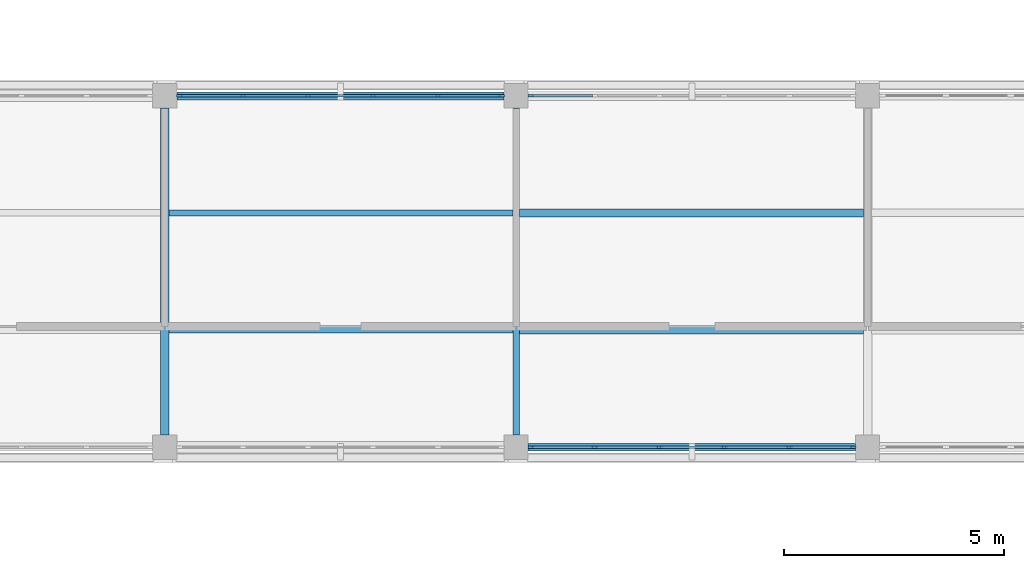
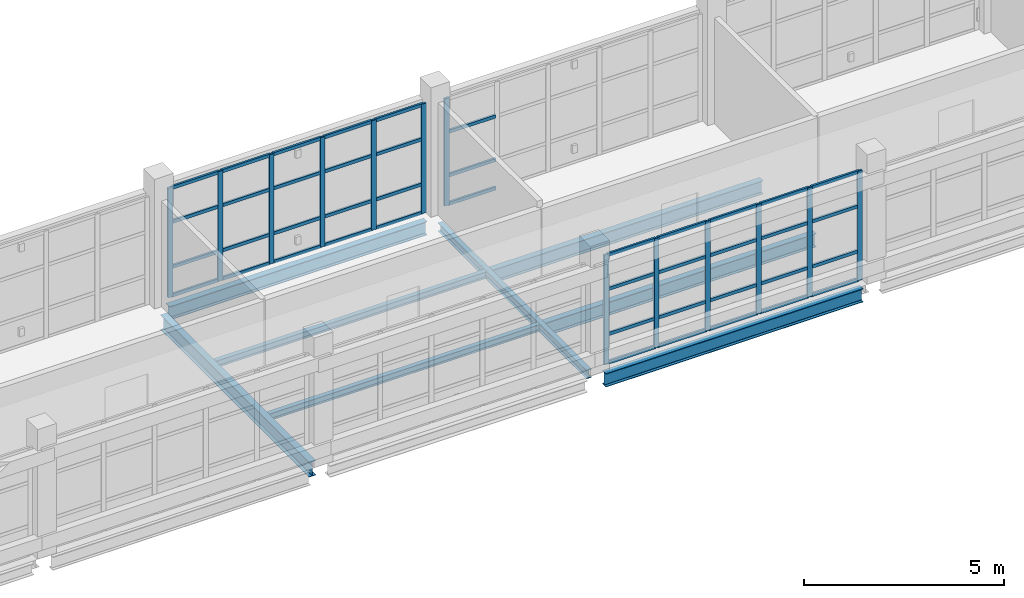
# One storey, part 11 of 92: 56 members, 8 beams, 3 elements without a shape of their own.
"""IFC4 building model written with IfcOpenShell, lengths in metres."""

from ifc_helpers import new_model, si_unit, derived_unit, direction, frame, origin, origin_2d, place, context, subcontext, project, spatial, rectangle, i_section, extrude, material, layer, layer_set, material_profile, profile_set, type_object, element, aggregate, save


model = new_model("IFC4")

# Units and contexts
model_context = context("Model", 3, precision=1e-05, world=origin(), true_north=direction((0.0, 1.0)))
body_context = subcontext(model_context, "Body", "Model", "MODEL_VIEW")
ifc_project = project(units=[si_unit("LENGTHUNIT", "METRE"), si_unit("AREAUNIT", "SQUARE_METRE"), si_unit("VOLUMEUNIT", "CUBIC_METRE"), si_unit("PLANEANGLEUNIT", "RADIAN"), si_unit("MASSUNIT", "GRAM", prefix="KILO"), derived_unit("THERMALTRANSMITTANCEUNIT", [(si_unit("MASSUNIT", "GRAM", prefix="KILO"), 1), (si_unit("TIMEUNIT", "SECOND"), -3), (si_unit("THERMODYNAMICTEMPERATUREUNIT", "KELVIN"), -1)])], contexts=[model_context])

# Site, building, storey
site_placement = place(None, origin())
site = spatial("IfcSite", under=ifc_project, at=site_placement, CompositionType="ELEMENT")
building_placement = place(site_placement, origin())
building = spatial("IfcBuilding", under=site, at=building_placement, Name="Veyamyaing Civic Hall", CompositionType="ELEMENT")
storey_placement = place(building_placement, frame((0.0, 0.0, 17.820068359375)))
storey = spatial("IfcBuildingStorey", under=building, at=storey_placement, Name="L04", CompositionType="ELEMENT", Elevation=17.820068359375)

# Beams
ifc_material_1 = material(Name="Steel ASTM A992", Category="steel")
ifc_material_profile_1 = material_profile(ifc_material_1, i_section(OverallWidth=0.18994140625, OverallDepth=0.45703125, WebThickness=0.009033203125, FlangeThickness=0.014404296875, FilletRadius=0.010009765625, at=origin_2d()), Name="W460X74")
ifc_profile_set_1 = profile_set([ifc_material_profile_1], Name="Steel ASTM A992")
beam_type_1 = type_object("IfcBeamType", Name="B-09", PredefinedType="BEAM", material=ifc_profile_set_1)
beam_1_placement = place(storey_placement, frame((32.0, 48.27490234375, -0.463623046875), z_axis=(0.0, 1.0, 0.0), x_axis=(-1.0, 0.0, 0.0)))
element("IfcBeam", 1, at=beam_1_placement, inside=storey, type_object=beam_type_1, Name="Girder B-09 L04 Grid 5 G-H", PredefinedType="BEAM", context=body_context, shape_type="SweptSolid", body=[
    extrude(i_section(OverallWidth=0.18994140625, OverallDepth=0.45703125, WebThickness=0.009033203125, FlangeThickness=0.014404296875, FilletRadius=0.010009765625, at=origin_2d()), origin(), (0.0, 0.0, 1.0), 7.4501953125),
])
ifc_material_profile_2 = material_profile(ifc_material_1, i_section(OverallWidth=0.179931640625, OverallDepth=0.4130859375, WebThickness=0.009765625, FlangeThickness=0.01611328125, FilletRadius=0.010009765625, at=origin_2d()), Name="W410X74")
ifc_profile_set_2 = profile_set([ifc_material_profile_2], Name="Steel ASTM A992")
beam_type_2 = type_object("IfcBeamType", Name="B-10", PredefinedType="SPANDREL", material=ifc_profile_set_2)
for number, where, z_axis, x_axis, name in (
    (2, (40.27490234375, 48.0, -0.441650390625), (1.0, 0.0, 0.0), (0.0, 1.0, 0.0), "Girder B-10 L04 Grid G 6-7"),
    (3, (32.27490234375, 56.0, -0.441650390625), (1.0, 0.0, 0.0), (0.0, 1.0, 0.0), "Girder B-10 L04 Grid H 5-6"),
):
    element("IfcBeam", number, at=place(storey_placement, frame(where, z_axis=z_axis, x_axis=x_axis)), inside=storey, type_object=beam_type_2, Name=name, PredefinedType="SPANDREL", context=body_context, shape_type="SweptSolid", body=[
        extrude(i_section(OverallWidth=0.179931640625, OverallDepth=0.4130859375, WebThickness=0.009765625, FlangeThickness=0.01611328125, FilletRadius=0.010009765625, at=origin_2d()), origin(), (0.0, 0.0, 1.0), 7.4501953125),
    ])
ifc_material_profile_3 = material_profile(ifc_material_1, i_section(OverallWidth=0.14599609375, OverallDepth=0.258056640625, WebThickness=0.006103515625, FlangeThickness=0.009033203125, FilletRadius=0.010009765625, at=origin_2d()), Name="W250X33")
ifc_profile_set_3 = profile_set([ifc_material_profile_3], Name="Steel ASTM A992")
beam_type_3 = type_object("IfcBeamType", Name="B-12", PredefinedType="BEAM", material=ifc_profile_set_3)
beam_2_placement = place(storey_placement, frame((40.0, 48.27490234375, -0.364013671875), z_axis=(0.0, 1.0, 0.0), x_axis=(-1.0, 0.0, 0.0)))
element("IfcBeam", 4, at=beam_2_placement, inside=storey, type_object=beam_type_3, Name="Girder B-12 L04 Grid 6 G-H", PredefinedType="BEAM", context=body_context, shape_type="SweptSolid", body=[
    extrude(i_section(OverallWidth=0.14599609375, OverallDepth=0.258056640625, WebThickness=0.006103515625, FlangeThickness=0.009033203125, FilletRadius=0.010009765625, at=origin_2d()), origin(), (0.0, 0.0, 1.0), 7.4501953125),
])

# Curtain wall, members
ifc_material_2 = material(Name="Anodised aluminium 6063-T6", Category="aluminium")
ifc_layer = layer(ifc_material_2, 0.139892578125, Name="Anodised aluminium 6063-T6")
ifc_layer_set = layer_set([ifc_layer], Name="Anodised aluminium 6063-T6")
curtain_wall_type = type_object("IfcCurtainWallType", Name="CW-04", PredefinedType="NOTDEFINED", material=ifc_layer_set)
curtain_wall_1_placement = place(storey_placement, origin())
curtain_wall_1 = element("IfcCurtainWall", 5, at=curtain_wall_1_placement, inside=storey, type_object=curtain_wall_type, Name="Unitized curtain wall CW-04 L04 N 5.7", PredefinedType="NOTDEFINED")
ifc_material_profile_4 = material_profile(ifc_material_2, rectangle(XDim=0.06005859375, YDim=0.139892578125, at=origin_2d()), Name="ALU-MUL-60X140")
ifc_profile_set_4 = profile_set([ifc_material_profile_4], Name="Anodised aluminium 6063-T6")
member_type_1 = type_object("IfcMemberType", Name="CWM-03", PredefinedType="MULLION", material=ifc_profile_set_4)
member_1_placement = place(storey_placement, frame((32.3349609375, 56.0, 0.0), z_axis=(0.0, 0.0, 1.0), x_axis=(0.0, 1.0, 0.0)))
member_1 = element("IfcMember", 6, at=member_1_placement, type_object=member_type_1, Name="CW-04 mullion 1", PredefinedType="MULLION", context=body_context, shape_type="SweptSolid", body=[
    extrude(rectangle(XDim=0.06005859375, YDim=0.139892578125, at=origin_2d()), origin(), (0.0, 0.0, 1.0), 3.35205078125),
])
member_2_placement = place(storey_placement, frame((33.782958984375, 56.0, 0.0), z_axis=(0.0, 0.0, 1.0), x_axis=(0.0, 1.0, 0.0)))
member_2 = element("IfcMember", 7, at=member_2_placement, type_object=member_type_1, Name="CW-04 mullion 2", PredefinedType="MULLION", context=body_context, shape_type="SweptSolid", body=[
    extrude(rectangle(XDim=0.06005859375, YDim=0.139892578125, at=origin_2d()), origin(), (0.0, 0.0, 1.0), 3.35205078125),
])
member_3_placement = place(storey_placement, frame((35.260986328125, 56.0, 0.0), z_axis=(0.0, 0.0, 1.0), x_axis=(0.0, 1.0, 0.0)))
member_3 = element("IfcMember", 8, at=member_3_placement, type_object=member_type_1, Name="CW-04 mullion 3", PredefinedType="MULLION", context=body_context, shape_type="SweptSolid", body=[
    extrude(rectangle(XDim=0.06005859375, YDim=0.139892578125, at=origin_2d()), origin(), (0.0, 0.0, 1.0), 3.35205078125),
])
member_4_placement = place(storey_placement, frame((36.739013671875, 56.0, 0.0), z_axis=(0.0, 0.0, 1.0), x_axis=(0.0, 1.0, 0.0)))
member_4 = element("IfcMember", 9, at=member_4_placement, type_object=member_type_1, Name="CW-04 mullion 4", PredefinedType="MULLION", context=body_context, shape_type="SweptSolid", body=[
    extrude(rectangle(XDim=0.06005859375, YDim=0.139892578125, at=origin_2d()), origin(), (0.0, 0.0, 1.0), 3.35205078125),
])
member_5_placement = place(storey_placement, frame((38.217041015625, 56.0, 0.0), z_axis=(0.0, 0.0, 1.0), x_axis=(0.0, 1.0, 0.0)))
member_5 = element("IfcMember", 10, at=member_5_placement, type_object=member_type_1, Name="CW-04 mullion 5", PredefinedType="MULLION", context=body_context, shape_type="SweptSolid", body=[
    extrude(rectangle(XDim=0.06005859375, YDim=0.139892578125, at=origin_2d()), origin(), (0.0, 0.0, 1.0), 3.35205078125),
])
member_6_placement = place(storey_placement, frame((39.6650390625, 56.0, 0.0), z_axis=(0.0, 0.0, 1.0), x_axis=(0.0, 1.0, 0.0)))
member_6 = element("IfcMember", 11, at=member_6_placement, type_object=member_type_1, Name="CW-04 mullion 6", PredefinedType="MULLION", context=body_context, shape_type="SweptSolid", body=[
    extrude(rectangle(XDim=0.06005859375, YDim=0.139892578125, at=origin_2d()), origin(), (0.0, 0.0, 1.0), 3.35205078125),
])

curtain_wall_2_placement = place(storey_placement, origin())
curtain_wall_2 = element("IfcCurtainWall", 12, at=curtain_wall_2_placement, inside=storey, type_object=curtain_wall_type, Name="Unitized curtain wall CW-04 L04 S 6.7", PredefinedType="NOTDEFINED")
member_7_placement = place(storey_placement, frame((40.3349609375, 48.0, 0.0), z_axis=(0.0, 0.0, 1.0), x_axis=(0.0, 1.0, 0.0)))
member_7 = element("IfcMember", 13, at=member_7_placement, type_object=member_type_1, Name="CW-04 mullion 1", PredefinedType="MULLION", context=body_context, shape_type="SweptSolid", body=[
    extrude(rectangle(XDim=0.06005859375, YDim=0.139892578125, at=origin_2d()), origin(), (0.0, 0.0, 1.0), 3.35205078125),
])
member_8_placement = place(storey_placement, frame((41.782958984375, 48.0, 0.0), z_axis=(0.0, 0.0, 1.0), x_axis=(0.0, 1.0, 0.0)))
member_8 = element("IfcMember", 14, at=member_8_placement, type_object=member_type_1, Name="CW-04 mullion 2", PredefinedType="MULLION", context=body_context, shape_type="SweptSolid", body=[
    extrude(rectangle(XDim=0.06005859375, YDim=0.139892578125, at=origin_2d()), origin(), (0.0, 0.0, 1.0), 3.35205078125),
])
member_9_placement = place(storey_placement, frame((43.260986328125, 48.0, 0.0), z_axis=(0.0, 0.0, 1.0), x_axis=(0.0, 1.0, 0.0)))
member_9 = element("IfcMember", 15, at=member_9_placement, type_object=member_type_1, Name="CW-04 mullion 3", PredefinedType="MULLION", context=body_context, shape_type="SweptSolid", body=[
    extrude(rectangle(XDim=0.06005859375, YDim=0.139892578125, at=origin_2d()), origin(), (0.0, 0.0, 1.0), 3.35205078125),
])
member_10_placement = place(storey_placement, frame((44.739013671875, 48.0, 0.0), z_axis=(0.0, 0.0, 1.0), x_axis=(0.0, 1.0, 0.0)))
member_10 = element("IfcMember", 16, at=member_10_placement, type_object=member_type_1, Name="CW-04 mullion 4", PredefinedType="MULLION", context=body_context, shape_type="SweptSolid", body=[
    extrude(rectangle(XDim=0.06005859375, YDim=0.139892578125, at=origin_2d()), origin(), (0.0, 0.0, 1.0), 3.35205078125),
])
member_11_placement = place(storey_placement, frame((46.217041015625, 48.0, 0.0), z_axis=(0.0, 0.0, 1.0), x_axis=(0.0, 1.0, 0.0)))
member_11 = element("IfcMember", 17, at=member_11_placement, type_object=member_type_1, Name="CW-04 mullion 5", PredefinedType="MULLION", context=body_context, shape_type="SweptSolid", body=[
    extrude(rectangle(XDim=0.06005859375, YDim=0.139892578125, at=origin_2d()), origin(), (0.0, 0.0, 1.0), 3.35205078125),
])
member_12_placement = place(storey_placement, frame((47.6650390625, 48.0, 0.0), z_axis=(0.0, 0.0, 1.0), x_axis=(0.0, 1.0, 0.0)))
member_12 = element("IfcMember", 18, at=member_12_placement, type_object=member_type_1, Name="CW-04 mullion 6", PredefinedType="MULLION", context=body_context, shape_type="SweptSolid", body=[
    extrude(rectangle(XDim=0.06005859375, YDim=0.139892578125, at=origin_2d()), origin(), (0.0, 0.0, 1.0), 3.35205078125),
])

# Curtain wall, member
curtain_wall_3_placement = place(storey_placement, origin())
curtain_wall_3 = element("IfcCurtainWall", 19, at=curtain_wall_3_placement, inside=storey, type_object=curtain_wall_type, Name="Unitized curtain wall CW-04 L04 N 6.7", PredefinedType="NOTDEFINED")
member_13_placement = place(storey_placement, frame((40.3349609375, 56.0, 0.0), z_axis=(0.0, 0.0, 1.0), x_axis=(0.0, 1.0, 0.0)))
member_13 = element("IfcMember", 20, at=member_13_placement, type_object=member_type_1, Name="CW-04 mullion 1", PredefinedType="MULLION", context=body_context, shape_type="SweptSolid", body=[
    extrude(rectangle(XDim=0.06005859375, YDim=0.139892578125, at=origin_2d()), origin(), (0.0, 0.0, 1.0), 3.284912109375),
])

# Member
ifc_material_profile_5 = material_profile(ifc_material_2, rectangle(XDim=0.06005859375, YDim=0.10009765625, at=origin_2d()), Name="ALU-TRN-60X100")
ifc_profile_set_5 = profile_set([ifc_material_profile_5], Name="Anodised aluminium 6063-T6")
member_type_2 = type_object("IfcMemberType", Name="CWT-03", PredefinedType="USERDEFINED", material=ifc_profile_set_5)
member_14_placement = place(storey_placement, frame((32.364990234375, 56.0, 0.030029296875), z_axis=(1.0, 0.0, 0.0), x_axis=(0.0, 1.0, 0.0)))
member_14 = element("IfcMember", 21, at=member_14_placement, type_object=member_type_2, Name="CW-04 transom 1.1", ObjectType="TRANSOM", PredefinedType="USERDEFINED", context=body_context, shape_type="SweptSolid", body=[
    extrude(rectangle(XDim=0.06005859375, YDim=0.10009765625, at=origin_2d()), origin(), (0.0, 0.0, 1.0), 1.387939453125),
])

member_15_placement = place(storey_placement, frame((32.364990234375, 56.0, 0.89990234375), z_axis=(1.0, 0.0, 0.0), x_axis=(0.0, 1.0, 0.0)))
member_15 = element("IfcMember", 22, at=member_15_placement, type_object=member_type_2, Name="CW-04 transom 1.2", ObjectType="TRANSOM", PredefinedType="USERDEFINED", context=body_context, shape_type="SweptSolid", body=[
    extrude(rectangle(XDim=0.06005859375, YDim=0.10009765625, at=origin_2d()), origin(), (0.0, 0.0, 1.0), 1.387939453125),
])

member_16_placement = place(storey_placement, frame((32.364990234375, 56.0, 2.279296875), z_axis=(1.0, 0.0, 0.0), x_axis=(0.0, 1.0, 0.0)))
member_16 = element("IfcMember", 23, at=member_16_placement, type_object=member_type_2, Name="CW-04 transom 1.3", ObjectType="TRANSOM", PredefinedType="USERDEFINED", context=body_context, shape_type="SweptSolid", body=[
    extrude(rectangle(XDim=0.06005859375, YDim=0.10009765625, at=origin_2d()), origin(), (0.0, 0.0, 1.0), 1.387939453125),
])

member_17_placement = place(storey_placement, frame((32.364990234375, 56.0, 3.322021484375), z_axis=(1.0, 0.0, 0.0), x_axis=(0.0, 1.0, 0.0)))
member_17 = element("IfcMember", 24, at=member_17_placement, type_object=member_type_2, Name="CW-04 transom 1.4", ObjectType="TRANSOM", PredefinedType="USERDEFINED", context=body_context, shape_type="SweptSolid", body=[
    extrude(rectangle(XDim=0.06005859375, YDim=0.10009765625, at=origin_2d()), origin(), (0.0, 0.0, 1.0), 1.387939453125),
])

member_18_placement = place(storey_placement, frame((33.81298828125, 56.0, 0.030029296875), z_axis=(1.0, 0.0, 0.0), x_axis=(0.0, 1.0, 0.0)))
member_18 = element("IfcMember", 25, at=member_18_placement, type_object=member_type_2, Name="CW-04 transom 2.1", ObjectType="TRANSOM", PredefinedType="USERDEFINED", context=body_context, shape_type="SweptSolid", body=[
    extrude(rectangle(XDim=0.06005859375, YDim=0.10009765625, at=origin_2d()), origin(), (0.0, 0.0, 1.0), 1.41796875),
])

member_19_placement = place(storey_placement, frame((33.81298828125, 56.0, 0.89990234375), z_axis=(1.0, 0.0, 0.0), x_axis=(0.0, 1.0, 0.0)))
member_19 = element("IfcMember", 26, at=member_19_placement, type_object=member_type_2, Name="CW-04 transom 2.2", ObjectType="TRANSOM", PredefinedType="USERDEFINED", context=body_context, shape_type="SweptSolid", body=[
    extrude(rectangle(XDim=0.06005859375, YDim=0.10009765625, at=origin_2d()), origin(), (0.0, 0.0, 1.0), 1.41796875),
])

member_20_placement = place(storey_placement, frame((33.81298828125, 56.0, 2.279296875), z_axis=(1.0, 0.0, 0.0), x_axis=(0.0, 1.0, 0.0)))
member_20 = element("IfcMember", 27, at=member_20_placement, type_object=member_type_2, Name="CW-04 transom 2.3", ObjectType="TRANSOM", PredefinedType="USERDEFINED", context=body_context, shape_type="SweptSolid", body=[
    extrude(rectangle(XDim=0.06005859375, YDim=0.10009765625, at=origin_2d()), origin(), (0.0, 0.0, 1.0), 1.41796875),
])

member_21_placement = place(storey_placement, frame((33.81298828125, 56.0, 3.322021484375), z_axis=(1.0, 0.0, 0.0), x_axis=(0.0, 1.0, 0.0)))
member_21 = element("IfcMember", 28, at=member_21_placement, type_object=member_type_2, Name="CW-04 transom 2.4", ObjectType="TRANSOM", PredefinedType="USERDEFINED", context=body_context, shape_type="SweptSolid", body=[
    extrude(rectangle(XDim=0.06005859375, YDim=0.10009765625, at=origin_2d()), origin(), (0.0, 0.0, 1.0), 1.41796875),
])

member_22_placement = place(storey_placement, frame((35.291015625, 56.0, 0.030029296875), z_axis=(1.0, 0.0, 0.0), x_axis=(0.0, 1.0, 0.0)))
member_22 = element("IfcMember", 29, at=member_22_placement, type_object=member_type_2, Name="CW-04 transom 3.1", ObjectType="TRANSOM", PredefinedType="USERDEFINED", context=body_context, shape_type="SweptSolid", body=[
    extrude(rectangle(XDim=0.06005859375, YDim=0.10009765625, at=origin_2d()), origin(), (0.0, 0.0, 1.0), 1.41796875),
])

member_23_placement = place(storey_placement, frame((35.291015625, 56.0, 0.89990234375), z_axis=(1.0, 0.0, 0.0), x_axis=(0.0, 1.0, 0.0)))
member_23 = element("IfcMember", 30, at=member_23_placement, type_object=member_type_2, Name="CW-04 transom 3.2", ObjectType="TRANSOM", PredefinedType="USERDEFINED", context=body_context, shape_type="SweptSolid", body=[
    extrude(rectangle(XDim=0.06005859375, YDim=0.10009765625, at=origin_2d()), origin(), (0.0, 0.0, 1.0), 1.41796875),
])

member_24_placement = place(storey_placement, frame((35.291015625, 56.0, 2.279296875), z_axis=(1.0, 0.0, 0.0), x_axis=(0.0, 1.0, 0.0)))
member_24 = element("IfcMember", 31, at=member_24_placement, type_object=member_type_2, Name="CW-04 transom 3.3", ObjectType="TRANSOM", PredefinedType="USERDEFINED", context=body_context, shape_type="SweptSolid", body=[
    extrude(rectangle(XDim=0.06005859375, YDim=0.10009765625, at=origin_2d()), origin(), (0.0, 0.0, 1.0), 1.41796875),
])

member_25_placement = place(storey_placement, frame((35.291015625, 56.0, 3.322021484375), z_axis=(1.0, 0.0, 0.0), x_axis=(0.0, 1.0, 0.0)))
member_25 = element("IfcMember", 32, at=member_25_placement, type_object=member_type_2, Name="CW-04 transom 3.4", ObjectType="TRANSOM", PredefinedType="USERDEFINED", context=body_context, shape_type="SweptSolid", body=[
    extrude(rectangle(XDim=0.06005859375, YDim=0.10009765625, at=origin_2d()), origin(), (0.0, 0.0, 1.0), 1.41796875),
])

member_26_placement = place(storey_placement, frame((36.76904296875, 56.0, 0.030029296875), z_axis=(1.0, 0.0, 0.0), x_axis=(0.0, 1.0, 0.0)))
member_26 = element("IfcMember", 33, at=member_26_placement, type_object=member_type_2, Name="CW-04 transom 4.1", ObjectType="TRANSOM", PredefinedType="USERDEFINED", context=body_context, shape_type="SweptSolid", body=[
    extrude(rectangle(XDim=0.06005859375, YDim=0.10009765625, at=origin_2d()), origin(), (0.0, 0.0, 1.0), 1.41796875),
])

member_27_placement = place(storey_placement, frame((36.76904296875, 56.0, 0.89990234375), z_axis=(1.0, 0.0, 0.0), x_axis=(0.0, 1.0, 0.0)))
member_27 = element("IfcMember", 34, at=member_27_placement, type_object=member_type_2, Name="CW-04 transom 4.2", ObjectType="TRANSOM", PredefinedType="USERDEFINED", context=body_context, shape_type="SweptSolid", body=[
    extrude(rectangle(XDim=0.06005859375, YDim=0.10009765625, at=origin_2d()), origin(), (0.0, 0.0, 1.0), 1.41796875),
])

member_28_placement = place(storey_placement, frame((36.76904296875, 56.0, 2.279296875), z_axis=(1.0, 0.0, 0.0), x_axis=(0.0, 1.0, 0.0)))
member_28 = element("IfcMember", 35, at=member_28_placement, type_object=member_type_2, Name="CW-04 transom 4.3", ObjectType="TRANSOM", PredefinedType="USERDEFINED", context=body_context, shape_type="SweptSolid", body=[
    extrude(rectangle(XDim=0.06005859375, YDim=0.10009765625, at=origin_2d()), origin(), (0.0, 0.0, 1.0), 1.41796875),
])

member_29_placement = place(storey_placement, frame((36.76904296875, 56.0, 3.322021484375), z_axis=(1.0, 0.0, 0.0), x_axis=(0.0, 1.0, 0.0)))
member_29 = element("IfcMember", 36, at=member_29_placement, type_object=member_type_2, Name="CW-04 transom 4.4", ObjectType="TRANSOM", PredefinedType="USERDEFINED", context=body_context, shape_type="SweptSolid", body=[
    extrude(rectangle(XDim=0.06005859375, YDim=0.10009765625, at=origin_2d()), origin(), (0.0, 0.0, 1.0), 1.41796875),
])

member_30_placement = place(storey_placement, frame((38.2470703125, 56.0, 0.030029296875), z_axis=(1.0, 0.0, 0.0), x_axis=(0.0, 1.0, 0.0)))
member_30 = element("IfcMember", 37, at=member_30_placement, type_object=member_type_2, Name="CW-04 transom 5.1", ObjectType="TRANSOM", PredefinedType="USERDEFINED", context=body_context, shape_type="SweptSolid", body=[
    extrude(rectangle(XDim=0.06005859375, YDim=0.10009765625, at=origin_2d()), origin(), (0.0, 0.0, 1.0), 1.387939453125),
])

member_31_placement = place(storey_placement, frame((38.2470703125, 56.0, 0.89990234375), z_axis=(1.0, 0.0, 0.0), x_axis=(0.0, 1.0, 0.0)))
member_31 = element("IfcMember", 38, at=member_31_placement, type_object=member_type_2, Name="CW-04 transom 5.2", ObjectType="TRANSOM", PredefinedType="USERDEFINED", context=body_context, shape_type="SweptSolid", body=[
    extrude(rectangle(XDim=0.06005859375, YDim=0.10009765625, at=origin_2d()), origin(), (0.0, 0.0, 1.0), 1.387939453125),
])

member_32_placement = place(storey_placement, frame((38.2470703125, 56.0, 2.279296875), z_axis=(1.0, 0.0, 0.0), x_axis=(0.0, 1.0, 0.0)))
member_32 = element("IfcMember", 39, at=member_32_placement, type_object=member_type_2, Name="CW-04 transom 5.3", ObjectType="TRANSOM", PredefinedType="USERDEFINED", context=body_context, shape_type="SweptSolid", body=[
    extrude(rectangle(XDim=0.06005859375, YDim=0.10009765625, at=origin_2d()), origin(), (0.0, 0.0, 1.0), 1.387939453125),
])

member_33_placement = place(storey_placement, frame((38.2470703125, 56.0, 3.322021484375), z_axis=(1.0, 0.0, 0.0), x_axis=(0.0, 1.0, 0.0)))
member_33 = element("IfcMember", 40, at=member_33_placement, type_object=member_type_2, Name="CW-04 transom 5.4", ObjectType="TRANSOM", PredefinedType="USERDEFINED", context=body_context, shape_type="SweptSolid", body=[
    extrude(rectangle(XDim=0.06005859375, YDim=0.10009765625, at=origin_2d()), origin(), (0.0, 0.0, 1.0), 1.387939453125),
])

aggregate(curtain_wall_1, [member_1, member_2, member_3, member_4, member_5, member_6, member_14, member_15, member_16, member_17, member_18, member_19, member_20, member_21, member_22, member_23, member_24, member_25, member_26, member_27, member_28, member_29, member_30, member_31, member_32, member_33])

member_34_placement = place(storey_placement, frame((40.364990234375, 48.0, 0.030029296875), z_axis=(1.0, 0.0, 0.0), x_axis=(0.0, 1.0, 0.0)))
member_34 = element("IfcMember", 41, at=member_34_placement, type_object=member_type_2, Name="CW-04 transom 1.1", ObjectType="TRANSOM", PredefinedType="USERDEFINED", context=body_context, shape_type="SweptSolid", body=[
    extrude(rectangle(XDim=0.06005859375, YDim=0.10009765625, at=origin_2d()), origin(), (0.0, 0.0, 1.0), 1.387939453125),
])

member_35_placement = place(storey_placement, frame((40.364990234375, 48.0, 0.89990234375), z_axis=(1.0, 0.0, 0.0), x_axis=(0.0, 1.0, 0.0)))
member_35 = element("IfcMember", 42, at=member_35_placement, type_object=member_type_2, Name="CW-04 transom 1.2", ObjectType="TRANSOM", PredefinedType="USERDEFINED", context=body_context, shape_type="SweptSolid", body=[
    extrude(rectangle(XDim=0.06005859375, YDim=0.10009765625, at=origin_2d()), origin(), (0.0, 0.0, 1.0), 1.387939453125),
])

member_36_placement = place(storey_placement, frame((40.364990234375, 48.0, 2.279296875), z_axis=(1.0, 0.0, 0.0), x_axis=(0.0, 1.0, 0.0)))
member_36 = element("IfcMember", 43, at=member_36_placement, type_object=member_type_2, Name="CW-04 transom 1.3", ObjectType="TRANSOM", PredefinedType="USERDEFINED", context=body_context, shape_type="SweptSolid", body=[
    extrude(rectangle(XDim=0.06005859375, YDim=0.10009765625, at=origin_2d()), origin(), (0.0, 0.0, 1.0), 1.387939453125),
])

member_37_placement = place(storey_placement, frame((40.364990234375, 48.0, 3.322021484375), z_axis=(1.0, 0.0, 0.0), x_axis=(0.0, 1.0, 0.0)))
member_37 = element("IfcMember", 44, at=member_37_placement, type_object=member_type_2, Name="CW-04 transom 1.4", ObjectType="TRANSOM", PredefinedType="USERDEFINED", context=body_context, shape_type="SweptSolid", body=[
    extrude(rectangle(XDim=0.06005859375, YDim=0.10009765625, at=origin_2d()), origin(), (0.0, 0.0, 1.0), 1.387939453125),
])

member_38_placement = place(storey_placement, frame((41.81298828125, 48.0, 0.030029296875), z_axis=(1.0, 0.0, 0.0), x_axis=(0.0, 1.0, 0.0)))
member_38 = element("IfcMember", 45, at=member_38_placement, type_object=member_type_2, Name="CW-04 transom 2.1", ObjectType="TRANSOM", PredefinedType="USERDEFINED", context=body_context, shape_type="SweptSolid", body=[
    extrude(rectangle(XDim=0.06005859375, YDim=0.10009765625, at=origin_2d()), origin(), (0.0, 0.0, 1.0), 1.41796875),
])

member_39_placement = place(storey_placement, frame((41.81298828125, 48.0, 0.89990234375), z_axis=(1.0, 0.0, 0.0), x_axis=(0.0, 1.0, 0.0)))
member_39 = element("IfcMember", 46, at=member_39_placement, type_object=member_type_2, Name="CW-04 transom 2.2", ObjectType="TRANSOM", PredefinedType="USERDEFINED", context=body_context, shape_type="SweptSolid", body=[
    extrude(rectangle(XDim=0.06005859375, YDim=0.10009765625, at=origin_2d()), origin(), (0.0, 0.0, 1.0), 1.41796875),
])

member_40_placement = place(storey_placement, frame((41.81298828125, 48.0, 2.279296875), z_axis=(1.0, 0.0, 0.0), x_axis=(0.0, 1.0, 0.0)))
member_40 = element("IfcMember", 47, at=member_40_placement, type_object=member_type_2, Name="CW-04 transom 2.3", ObjectType="TRANSOM", PredefinedType="USERDEFINED", context=body_context, shape_type="SweptSolid", body=[
    extrude(rectangle(XDim=0.06005859375, YDim=0.10009765625, at=origin_2d()), origin(), (0.0, 0.0, 1.0), 1.41796875),
])

member_41_placement = place(storey_placement, frame((41.81298828125, 48.0, 3.322021484375), z_axis=(1.0, 0.0, 0.0), x_axis=(0.0, 1.0, 0.0)))
member_41 = element("IfcMember", 48, at=member_41_placement, type_object=member_type_2, Name="CW-04 transom 2.4", ObjectType="TRANSOM", PredefinedType="USERDEFINED", context=body_context, shape_type="SweptSolid", body=[
    extrude(rectangle(XDim=0.06005859375, YDim=0.10009765625, at=origin_2d()), origin(), (0.0, 0.0, 1.0), 1.41796875),
])

member_42_placement = place(storey_placement, frame((43.291015625, 48.0, 0.030029296875), z_axis=(1.0, 0.0, 0.0), x_axis=(0.0, 1.0, 0.0)))
member_42 = element("IfcMember", 49, at=member_42_placement, type_object=member_type_2, Name="CW-04 transom 3.1", ObjectType="TRANSOM", PredefinedType="USERDEFINED", context=body_context, shape_type="SweptSolid", body=[
    extrude(rectangle(XDim=0.06005859375, YDim=0.10009765625, at=origin_2d()), origin(), (0.0, 0.0, 1.0), 1.41796875),
])

member_43_placement = place(storey_placement, frame((43.291015625, 48.0, 0.89990234375), z_axis=(1.0, 0.0, 0.0), x_axis=(0.0, 1.0, 0.0)))
member_43 = element("IfcMember", 50, at=member_43_placement, type_object=member_type_2, Name="CW-04 transom 3.2", ObjectType="TRANSOM", PredefinedType="USERDEFINED", context=body_context, shape_type="SweptSolid", body=[
    extrude(rectangle(XDim=0.06005859375, YDim=0.10009765625, at=origin_2d()), origin(), (0.0, 0.0, 1.0), 1.41796875),
])

member_44_placement = place(storey_placement, frame((43.291015625, 48.0, 2.279296875), z_axis=(1.0, 0.0, 0.0), x_axis=(0.0, 1.0, 0.0)))
member_44 = element("IfcMember", 51, at=member_44_placement, type_object=member_type_2, Name="CW-04 transom 3.3", ObjectType="TRANSOM", PredefinedType="USERDEFINED", context=body_context, shape_type="SweptSolid", body=[
    extrude(rectangle(XDim=0.06005859375, YDim=0.10009765625, at=origin_2d()), origin(), (0.0, 0.0, 1.0), 1.41796875),
])

member_45_placement = place(storey_placement, frame((43.291015625, 48.0, 3.322021484375), z_axis=(1.0, 0.0, 0.0), x_axis=(0.0, 1.0, 0.0)))
member_45 = element("IfcMember", 52, at=member_45_placement, type_object=member_type_2, Name="CW-04 transom 3.4", ObjectType="TRANSOM", PredefinedType="USERDEFINED", context=body_context, shape_type="SweptSolid", body=[
    extrude(rectangle(XDim=0.06005859375, YDim=0.10009765625, at=origin_2d()), origin(), (0.0, 0.0, 1.0), 1.41796875),
])

member_46_placement = place(storey_placement, frame((44.76904296875, 48.0, 0.030029296875), z_axis=(1.0, 0.0, 0.0), x_axis=(0.0, 1.0, 0.0)))
member_46 = element("IfcMember", 53, at=member_46_placement, type_object=member_type_2, Name="CW-04 transom 4.1", ObjectType="TRANSOM", PredefinedType="USERDEFINED", context=body_context, shape_type="SweptSolid", body=[
    extrude(rectangle(XDim=0.06005859375, YDim=0.10009765625, at=origin_2d()), origin(), (0.0, 0.0, 1.0), 1.41796875),
])

member_47_placement = place(storey_placement, frame((44.76904296875, 48.0, 0.89990234375), z_axis=(1.0, 0.0, 0.0), x_axis=(0.0, 1.0, 0.0)))
member_47 = element("IfcMember", 54, at=member_47_placement, type_object=member_type_2, Name="CW-04 transom 4.2", ObjectType="TRANSOM", PredefinedType="USERDEFINED", context=body_context, shape_type="SweptSolid", body=[
    extrude(rectangle(XDim=0.06005859375, YDim=0.10009765625, at=origin_2d()), origin(), (0.0, 0.0, 1.0), 1.41796875),
])

member_48_placement = place(storey_placement, frame((44.76904296875, 48.0, 2.279296875), z_axis=(1.0, 0.0, 0.0), x_axis=(0.0, 1.0, 0.0)))
member_48 = element("IfcMember", 55, at=member_48_placement, type_object=member_type_2, Name="CW-04 transom 4.3", ObjectType="TRANSOM", PredefinedType="USERDEFINED", context=body_context, shape_type="SweptSolid", body=[
    extrude(rectangle(XDim=0.06005859375, YDim=0.10009765625, at=origin_2d()), origin(), (0.0, 0.0, 1.0), 1.41796875),
])

member_49_placement = place(storey_placement, frame((44.76904296875, 48.0, 3.322021484375), z_axis=(1.0, 0.0, 0.0), x_axis=(0.0, 1.0, 0.0)))
member_49 = element("IfcMember", 56, at=member_49_placement, type_object=member_type_2, Name="CW-04 transom 4.4", ObjectType="TRANSOM", PredefinedType="USERDEFINED", context=body_context, shape_type="SweptSolid", body=[
    extrude(rectangle(XDim=0.06005859375, YDim=0.10009765625, at=origin_2d()), origin(), (0.0, 0.0, 1.0), 1.41796875),
])

member_50_placement = place(storey_placement, frame((46.2470703125, 48.0, 0.030029296875), z_axis=(1.0, 0.0, 0.0), x_axis=(0.0, 1.0, 0.0)))
member_50 = element("IfcMember", 57, at=member_50_placement, type_object=member_type_2, Name="CW-04 transom 5.1", ObjectType="TRANSOM", PredefinedType="USERDEFINED", context=body_context, shape_type="SweptSolid", body=[
    extrude(rectangle(XDim=0.06005859375, YDim=0.10009765625, at=origin_2d()), origin(), (0.0, 0.0, 1.0), 1.387939453125),
])

member_51_placement = place(storey_placement, frame((46.2470703125, 48.0, 0.89990234375), z_axis=(1.0, 0.0, 0.0), x_axis=(0.0, 1.0, 0.0)))
member_51 = element("IfcMember", 58, at=member_51_placement, type_object=member_type_2, Name="CW-04 transom 5.2", ObjectType="TRANSOM", PredefinedType="USERDEFINED", context=body_context, shape_type="SweptSolid", body=[
    extrude(rectangle(XDim=0.06005859375, YDim=0.10009765625, at=origin_2d()), origin(), (0.0, 0.0, 1.0), 1.387939453125),
])

member_52_placement = place(storey_placement, frame((46.2470703125, 48.0, 2.279296875), z_axis=(1.0, 0.0, 0.0), x_axis=(0.0, 1.0, 0.0)))
member_52 = element("IfcMember", 59, at=member_52_placement, type_object=member_type_2, Name="CW-04 transom 5.3", ObjectType="TRANSOM", PredefinedType="USERDEFINED", context=body_context, shape_type="SweptSolid", body=[
    extrude(rectangle(XDim=0.06005859375, YDim=0.10009765625, at=origin_2d()), origin(), (0.0, 0.0, 1.0), 1.387939453125),
])

member_53_placement = place(storey_placement, frame((46.2470703125, 48.0, 3.322021484375), z_axis=(1.0, 0.0, 0.0), x_axis=(0.0, 1.0, 0.0)))
member_53 = element("IfcMember", 60, at=member_53_placement, type_object=member_type_2, Name="CW-04 transom 5.4", ObjectType="TRANSOM", PredefinedType="USERDEFINED", context=body_context, shape_type="SweptSolid", body=[
    extrude(rectangle(XDim=0.06005859375, YDim=0.10009765625, at=origin_2d()), origin(), (0.0, 0.0, 1.0), 1.387939453125),
])

aggregate(curtain_wall_2, [member_7, member_8, member_9, member_10, member_11, member_12, member_34, member_35, member_36, member_37, member_38, member_39, member_40, member_41, member_42, member_43, member_44, member_45, member_46, member_47, member_48, member_49, member_50, member_51, member_52, member_53])

member_54_placement = place(storey_placement, frame((40.364990234375, 56.0, 0.030029296875), z_axis=(1.0, 0.0, 0.0), x_axis=(0.0, 1.0, 0.0)))
member_54 = element("IfcMember", 61, at=member_54_placement, type_object=member_type_2, Name="CW-04 transom 1.1", ObjectType="TRANSOM", PredefinedType="USERDEFINED", context=body_context, shape_type="SweptSolid", body=[
    extrude(rectangle(XDim=0.06005859375, YDim=0.10009765625, at=origin_2d()), origin(), (0.0, 0.0, 1.0), 1.387939453125),
])

member_55_placement = place(storey_placement, frame((40.364990234375, 56.0, 0.89990234375), z_axis=(1.0, 0.0, 0.0), x_axis=(0.0, 1.0, 0.0)))
member_55 = element("IfcMember", 62, at=member_55_placement, type_object=member_type_2, Name="CW-04 transom 1.2", ObjectType="TRANSOM", PredefinedType="USERDEFINED", context=body_context, shape_type="SweptSolid", body=[
    extrude(rectangle(XDim=0.06005859375, YDim=0.10009765625, at=origin_2d()), origin(), (0.0, 0.0, 1.0), 1.387939453125),
])

member_56_placement = place(storey_placement, frame((40.364990234375, 56.0, 2.233642578125), z_axis=(1.0, 0.0, 0.0), x_axis=(0.0, 1.0, 0.0)))
member_56 = element("IfcMember", 63, at=member_56_placement, type_object=member_type_2, Name="CW-04 transom 1.3", ObjectType="TRANSOM", PredefinedType="USERDEFINED", context=body_context, shape_type="SweptSolid", body=[
    extrude(rectangle(XDim=0.06005859375, YDim=0.10009765625, at=origin_2d()), origin(), (0.0, 0.0, 1.0), 1.387939453125),
])

aggregate(curtain_wall_3, [member_13, member_54, member_55, member_56])

# Beams
ifc_material_profile_6 = material_profile(ifc_material_1, i_section(OverallWidth=0.177978515625, OverallDepth=0.406982421875, WebThickness=0.0078125, FlangeThickness=0.0126953125, FilletRadius=0.010009765625, at=origin_2d()), Name="W410X60")
ifc_profile_set_6 = profile_set([ifc_material_profile_6], Name="Steel ASTM A992")
beam_type_4 = type_object("IfcBeamType", Name="J-01", PredefinedType="JOIST", material=ifc_profile_set_6)
for number, where, z_axis, x_axis, name in (
    (64, (40.071044921875, 50.666748046875, -0.4384765625), (1.0, 0.0, 0.0), (0.0, 1.0, 0.0), "Composite floor joist J-01 L04 6.7.1"),
    (65, (40.071044921875, 53.333251953125, -0.4384765625), (1.0, 0.0, 0.0), (0.0, 1.0, 0.0), "Composite floor joist J-01 L04 6.7.2"),
):
    element("IfcBeam", number, at=place(storey_placement, frame(where, z_axis=z_axis, x_axis=x_axis)), inside=storey, type_object=beam_type_4, Name=name, PredefinedType="JOIST", context=body_context, shape_type="SweptSolid", body=[
        extrude(i_section(OverallWidth=0.177978515625, OverallDepth=0.406982421875, WebThickness=0.0078125, FlangeThickness=0.0126953125, FilletRadius=0.010009765625, at=origin_2d()), origin(), (0.0, 0.0, 1.0), 7.8349609375),
    ])
ifc_material_profile_7 = material_profile(ifc_material_1, i_section(OverallWidth=0.133056640625, OverallDepth=0.20703125, WebThickness=0.005859375, FlangeThickness=0.00830078125, FilletRadius=0.010009765625, at=origin_2d()), Name="W200X27")
ifc_profile_set_7 = profile_set([ifc_material_profile_7], Name="Steel ASTM A992")
beam_type_5 = type_object("IfcBeamType", Name="J-08", PredefinedType="JOIST", material=ifc_profile_set_7)
for number, where, z_axis, x_axis, name in (
    (66, (32.093017578125, 50.666748046875, -0.338623046875), (1.0, 0.0, 0.0), (0.0, 1.0, 0.0), "Composite floor joist J-08 L04 5.7.1"),
    (67, (32.093017578125, 53.333251953125, -0.338623046875), (1.0, 0.0, 0.0), (0.0, 1.0, 0.0), "Composite floor joist J-08 L04 5.7.2"),
):
    element("IfcBeam", number, at=place(storey_placement, frame(where, z_axis=z_axis, x_axis=x_axis)), inside=storey, type_object=beam_type_5, Name=name, PredefinedType="JOIST", context=body_context, shape_type="SweptSolid", body=[
        extrude(i_section(OverallWidth=0.133056640625, OverallDepth=0.20703125, WebThickness=0.005859375, FlangeThickness=0.00830078125, FilletRadius=0.010009765625, at=origin_2d()), origin(), (0.0, 0.0, 1.0), 7.8359375),
    ])

save(model, "model.ifc")
